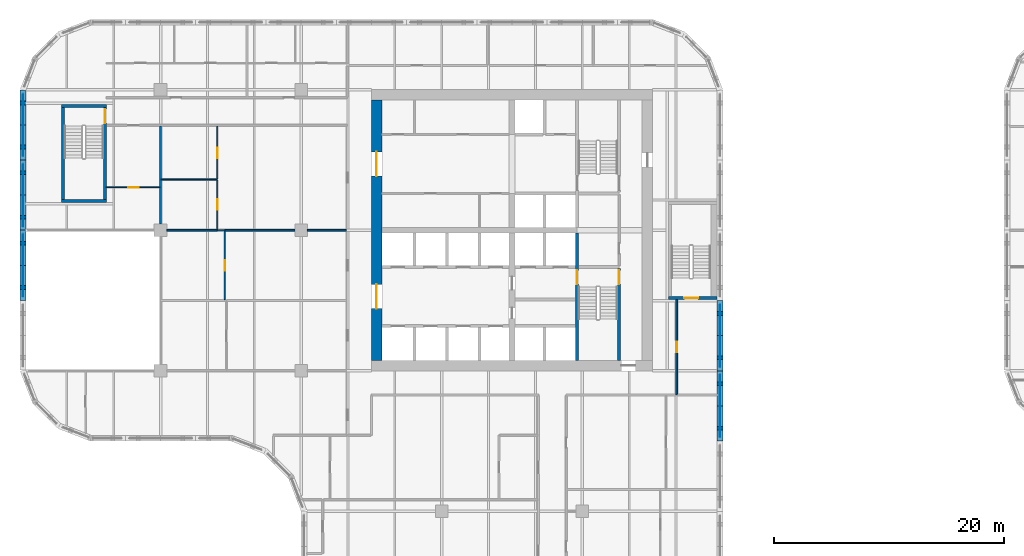
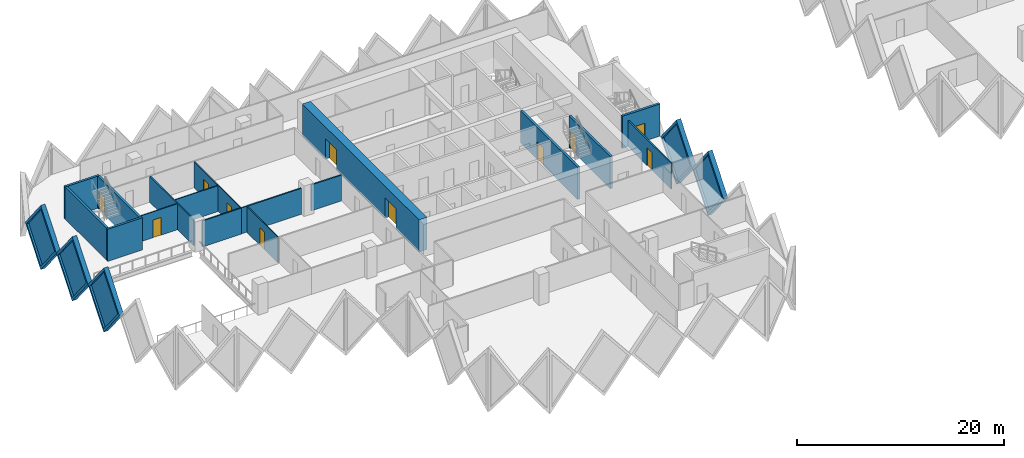
# One storey, part 7 of 18: 24 walls, 11 doors, 5 plates, 16 openings.
"""IFC4 building model written with IfcOpenShell, lengths in metres."""

from ifc_helpers import new_model, si_unit, direction, frame, frame_2d, origin, place, context, subcontext, project, spatial, polyline, rectangle, outline, extrude, faceted_brep, source, transform, mapped, material, layer, layer_set, type_object, element, fill, save


model = new_model("IFC4")

# Units and contexts
model_context = context("Model", 3, precision=1e-05, world=origin(), true_north=direction((0.0, 1.0)))
body_context = subcontext(model_context, "Body", "Model", "MODEL_VIEW")
ifc_project = project(units=[si_unit("LENGTHUNIT", "METRE"), si_unit("AREAUNIT", "SQUARE_METRE"), si_unit("VOLUMEUNIT", "CUBIC_METRE"), si_unit("PLANEANGLEUNIT", "RADIAN"), si_unit("MASSUNIT", "GRAM", prefix="KILO")], contexts=[model_context])

# Site, building, storey
site_placement = place(None, origin())
site = spatial("IfcSite", under=ifc_project, at=site_placement, CompositionType="ELEMENT")
building_placement = place(site_placement, origin())
building = spatial("IfcBuilding", under=site, at=building_placement, Name="Tessera Gate Towers", CompositionType="ELEMENT")
storey_placement = place(building_placement, frame((0.0, 0.0, 41.0)))
storey = spatial("IfcBuildingStorey", under=building, at=storey_placement, Name="L09", CompositionType="ELEMENT", Elevation=41.0)

# Wall, opening, door
ifc_material_1 = material(Name="Concrete C40/50", Category="concrete")
ifc_layer_1 = layer(ifc_material_1, 0.25)
ifc_layer_set_1 = layer_set([ifc_layer_1], Name="CORE ENCLOSURE WALL 250")
wall_type_1 = type_object("IfcWallType", Name="CORE ENCLOSURE WALL 250", PredefinedType="SOLIDWALL", material=ifc_layer_set_1)
wall_1_placement = place(storey_placement, frame((48.35009765625, 36.35009765625, 0.0), z_axis=(0.0, 0.0, 1.0), x_axis=(0.0, -1.0, 0.0)))
wall_1 = element("IfcWall", 1, at=wall_1_placement, inside=storey, type_object=wall_type_1, Name="L09 shaft and stair enclosure wall", PredefinedType="SOLIDWALL", context=body_context, shape_type="SweptSolid", body=[
    extrude(rectangle(XDim=11.050048828125, YDim=0.25, at=frame_2d((5.52490234375, 0.0))), origin(), (0.0, 0.0, 1.0), 3.800048828125),
])
shared_shape_1 = source(origin(), body_context, "Body", "SweptSolid", [
    extrude(rectangle(XDim=1.199951171875, YDim=2.10009765625, at=frame_2d((0.60009765625, 1.050048828125))), frame((0.0, 0.135009765625, 0.0), z_axis=(0.0, -1.0, 0.0), x_axis=(1.0, 0.0, 0.0)), (0.0, 0.0, 1.0), 0.27001953125),
])
opening_1_placement = place(wall_1_placement, frame((3.22509765625, 0.0, 0.0)))
opening_1 = element("IfcOpeningElement", 2, at=opening_1_placement, cuts=wall_1, Name="Opening SD-ST1-1", PredefinedType="OPENING", context=body_context, shape_type="MappedRepresentation", body=[
    mapped(shared_shape_1, transform((0.0, 0.0, 0.0), scale=1.0)),
])
ifc_material_2 = material(Name="Hollow steel fire door", Category="steel")
door_type_1 = type_object("IfcDoorType", Name="CORE DOOR SD 1200x2100", OperationType="NOTDEFINED", PredefinedType="DOOR", material=ifc_material_2)
shared_shape_2 = source(origin(), body_context, "Body", "SweptSolid", [
    extrude(rectangle(XDim=1.199951171875, YDim=2.10009765625, at=frame_2d((0.60009765625, 1.050048828125))), frame((0.0, 0.02490234375, 0.0), z_axis=(0.0, -1.0, 0.0), x_axis=(1.0, 0.0, 0.0)), (0.0, 0.0, 1.0), 0.050048828125),
])
door_1_placement = place(opening_1_placement, origin())
door_1 = element("IfcDoor", 3, at=door_1_placement, inside=storey, type_object=door_type_1, Name="Stair door", OperationType="SINGLE_SWING_LEFT", OverallHeight=2.10009765625, OverallWidth=1.199951171875, PredefinedType="DOOR", context=body_context, shape_type="MappedRepresentation", body=[
    mapped(shared_shape_2, transform((0.0, 0.0, 0.0), scale=1.0)),
])
fill(opening_1, door_1)

wall_2_placement = place(storey_placement, frame((52.0, 25.300048828125, 0.0), z_axis=(0.0, 0.0, 1.0), x_axis=(0.0, 1.0, 0.0)))
wall_2 = element("IfcWall", 4, at=wall_2_placement, inside=storey, type_object=wall_type_1, Name="L09 shaft and stair enclosure wall", PredefinedType="SOLIDWALL", context=body_context, shape_type="SweptSolid", body=[
    extrude(rectangle(XDim=7.974853515625, YDim=0.25, at=frame_2d((3.9873046875, 0.0))), origin(), (0.0, 0.0, 1.0), 3.800048828125),
])
opening_2_placement = place(wall_2_placement, frame((6.625, 0.0, 0.0)))
opening_2 = element("IfcOpeningElement", 5, at=opening_2_placement, cuts=wall_2, Name="Opening SD-ST1-2", PredefinedType="OPENING", context=body_context, shape_type="MappedRepresentation", body=[
    mapped(shared_shape_1, transform((0.0, 0.0, 0.0), scale=1.0)),
])
door_2_placement = place(opening_2_placement, origin())
door_2 = element("IfcDoor", 6, at=door_2_placement, inside=storey, type_object=door_type_1, Name="Stair door", OperationType="SINGLE_SWING_RIGHT", OverallHeight=2.10009765625, OverallWidth=1.199951171875, PredefinedType="DOOR", context=body_context, shape_type="MappedRepresentation", body=[
    mapped(shared_shape_2, transform((0.0, 0.0, 0.0), scale=1.0)),
])
fill(opening_2, door_2)

# Walls
wall_3_placement = place(storey_placement, frame((7.5, 39.125, 0.0), z_axis=(0.0, 0.0, 1.0), x_axis=(-1.0, 0.0, 0.0)))
element("IfcWall", 7, at=wall_3_placement, inside=storey, type_object=wall_type_1, Name="L09 ST3 enclosure wall", PredefinedType="SOLIDWALL", context=body_context, shape_type="SweptSolid", body=[
    extrude(rectangle(XDim=3.89990234375, YDim=0.25, at=frame_2d((1.949951171875, 0.0))), origin(), (0.0, 0.0, 1.0), 3.800048828125),
])
wall_4_placement = place(storey_placement, frame((3.72509765625, 39.25, 0.0), z_axis=(0.0, 0.0, 1.0), x_axis=(0.0, 1.0, 0.0)))
element("IfcWall", 8, at=wall_4_placement, inside=storey, type_object=wall_type_1, Name="L09 ST3 enclosure wall", PredefinedType="SOLIDWALL", context=body_context, shape_type="SweptSolid", body=[
    extrude(rectangle(XDim=8.0, YDim=0.25, at=frame_2d((4.0, 0.0))), origin(), (0.0, 0.0, 1.0), 3.800048828125),
])
wall_5_placement = place(storey_placement, frame((3.60009765625, 47.375, 0.0), z_axis=(0.0, 0.0, 1.0), x_axis=(1.0, 0.0, 0.0)))
element("IfcWall", 9, at=wall_5_placement, inside=storey, type_object=wall_type_1, Name="L09 ST3 enclosure wall", PredefinedType="SOLIDWALL", context=body_context, shape_type="SweptSolid", body=[
    extrude(rectangle(XDim=3.89990234375, YDim=0.25, at=frame_2d((1.949951171875, 0.0))), origin(), (0.0, 0.0, 1.0), 3.800048828125),
])

# Wall, opening, door
wall_6_placement = place(storey_placement, frame((7.375, 47.25, 0.0), z_axis=(0.0, 0.0, 1.0), x_axis=(0.0, -1.0, 0.0)))
wall_6 = element("IfcWall", 10, at=wall_6_placement, inside=storey, type_object=wall_type_1, Name="L09 ST3 enclosure wall", PredefinedType="SOLIDWALL", context=body_context, shape_type="SweptSolid", body=[
    extrude(rectangle(XDim=8.0, YDim=0.25, at=frame_2d((4.0, 0.0))), origin(), (0.0, 0.0, 1.0), 3.800048828125),
])
opening_3_placement = place(wall_6_placement, frame((0.14990234375, 0.0, 0.0)))
opening_3 = element("IfcOpeningElement", 11, at=opening_3_placement, cuts=wall_6, Name="Opening SD-ST3-1", PredefinedType="OPENING", context=body_context, shape_type="MappedRepresentation", body=[
    mapped(shared_shape_1, transform((0.0, 0.0, 0.0), scale=1.0)),
])
door_3_placement = place(opening_3_placement, origin())
door_3 = element("IfcDoor", 12, at=door_3_placement, inside=storey, type_object=door_type_1, Name="Stair door", OperationType="SINGLE_SWING_LEFT", OverallHeight=2.10009765625, OverallWidth=1.199951171875, PredefinedType="DOOR", context=body_context, shape_type="MappedRepresentation", body=[
    mapped(shared_shape_2, transform((0.0, 0.0, 0.0), scale=1.0)),
])
fill(opening_3, door_3)

wall_7_placement = place(storey_placement, frame((60.5, 30.72509765625, 0.0), z_axis=(0.0, 0.0, 1.0), x_axis=(-1.0, 0.0, 0.0)))
wall_7 = element("IfcWall", 13, at=wall_7_placement, inside=storey, type_object=wall_type_1, Name="L09 ST5 enclosure wall", PredefinedType="SOLIDWALL", context=body_context, shape_type="SweptSolid", body=[
    extrude(rectangle(XDim=4.199951171875, YDim=0.25, at=frame_2d((2.10009765625, 0.0))), origin(), (0.0, 0.0, 1.0), 3.800048828125),
])
opening_4_placement = place(wall_7_placement, frame((1.64990234375, 0.0, 0.0)))
opening_4 = element("IfcOpeningElement", 14, at=opening_4_placement, cuts=wall_7, Name="Opening SD-ST5-1", PredefinedType="OPENING", context=body_context, shape_type="MappedRepresentation", body=[
    mapped(shared_shape_1, transform((0.0, 0.0, 0.0), scale=1.0)),
])
door_4_placement = place(opening_4_placement, origin())
door_4 = element("IfcDoor", 15, at=door_4_placement, inside=storey, type_object=door_type_1, Name="Stair door", OperationType="SINGLE_SWING_RIGHT", OverallHeight=2.10009765625, OverallWidth=1.199951171875, PredefinedType="DOOR", context=body_context, shape_type="MappedRepresentation", body=[
    mapped(shared_shape_2, transform((0.0, 0.0, 0.0), scale=1.0)),
])
fill(opening_4, door_4)

# Wall, openings, doors
ifc_material_3 = material(Name="Concrete C70/85", Category="concrete")
ifc_layer_2 = layer(ifc_material_3, 0.89990234375)
ifc_layer_set_2 = layer_set([ifc_layer_2], Name="CORE SHEAR WALL 900 C70/85")
wall_type_2 = type_object("IfcWallType", Name="CORE SHEAR WALL 900 C70/85", PredefinedType="SHEAR", material=ifc_layer_set_2)
wall_8_placement = place(storey_placement, frame((30.949951171875, 25.300048828125, 0.0), z_axis=(0.0, 0.0, 1.0), x_axis=(0.0, 1.0, 0.0)))
wall_8 = element("IfcWall", 16, at=wall_8_placement, inside=storey, type_object=wall_type_2, Name="Core wall W L09", PredefinedType="SHEAR", context=body_context, shape_type="SweptSolid", body=[
    extrude(rectangle(XDim=22.599853515625, YDim=0.89990234375, at=frame_2d((11.2998046875, 0.0))), origin(), (0.0, 0.0, 1.0), 3.800048828125),
])
shared_shape_3 = source(origin(), body_context, "Body", "SweptSolid", [
    extrude(rectangle(XDim=2.10009765625, YDim=2.39990234375, at=frame_2d((1.050048828125, 1.199951171875))), frame((0.0, 0.4599609375, 0.0), z_axis=(0.0, -1.0, 0.0), x_axis=(1.0, 0.0, 0.0)), (0.0, 0.0, 1.0), 0.919921875),
])
opening_5_placement = place(wall_8_placement, frame((4.5, 0.0, 0.0)))
opening_5 = element("IfcOpeningElement", 17, at=opening_5_placement, cuts=wall_8, Name="Opening DD-T1-08-02", PredefinedType="OPENING", context=body_context, shape_type="MappedRepresentation", body=[
    mapped(shared_shape_3, transform((0.0, 0.0, 0.0), scale=1.0)),
])
opening_6_placement = place(wall_8_placement, frame((16.0, 0.0, 0.0)))
opening_6 = element("IfcOpeningElement", 18, at=opening_6_placement, cuts=wall_8, Name="Opening DD-T1-08-03", PredefinedType="OPENING", context=body_context, shape_type="MappedRepresentation", body=[
    mapped(shared_shape_3, transform((0.0, 0.0, 0.0), scale=1.0)),
])
ifc_material_4 = material(Name="Hollow steel fire door", Category="steel")
door_type_2 = type_object("IfcDoorType", Name="CORE DOOR DD 2100x2400", OperationType="NOTDEFINED", PredefinedType="DOOR", material=ifc_material_4)
shared_shape_4 = source(origin(), body_context, "Body", "SweptSolid", [
    extrude(rectangle(XDim=2.10009765625, YDim=2.39990234375, at=frame_2d((1.050048828125, 1.199951171875))), frame((0.0, 0.02490234375, 0.0), z_axis=(0.0, -1.0, 0.0), x_axis=(1.0, 0.0, 0.0)), (0.0, 0.0, 1.0), 0.050048828125),
])
door_5_placement = place(opening_5_placement, origin())
door_5 = element("IfcDoor", 19, at=door_5_placement, inside=storey, type_object=door_type_2, Name="Core entrance door", OperationType="DOUBLE_DOOR_SINGLE_SWING", OverallHeight=2.39990234375, OverallWidth=2.10009765625, PredefinedType="DOOR", context=body_context, shape_type="MappedRepresentation", body=[
    mapped(shared_shape_4, transform((0.0, 0.0, 0.0), scale=1.0)),
])
fill(opening_5, door_5)
door_6_placement = place(opening_6_placement, origin())
door_6 = element("IfcDoor", 20, at=door_6_placement, inside=storey, type_object=door_type_2, Name="Core entrance door", OperationType="DOUBLE_DOOR_SINGLE_SWING", OverallHeight=2.39990234375, OverallWidth=2.10009765625, PredefinedType="DOOR", context=body_context, shape_type="MappedRepresentation", body=[
    mapped(shared_shape_4, transform((0.0, 0.0, 0.0), scale=1.0)),
])
fill(opening_6, door_6)

# Wall, opening, door
ifc_material_5 = material(Name="Gypsum board on steel studs, mineral wool", Category="steel")
ifc_layer_3 = layer(ifc_material_5, 0.14990234375)
ifc_layer_set_3 = layer_set([ifc_layer_3], Name="CORRIDOR WALL 150")
wall_type_3 = type_object("IfcWallType", Name="CORRIDOR WALL 150", PredefinedType="PARTITIONING", material=ifc_layer_set_3)
wall_9_placement = place(storey_placement, frame((57.0, 30.60009765625, 0.0), z_axis=(0.0, 0.0, 1.0), x_axis=(0.0, -1.0, 0.0)))
wall_9 = element("IfcWall", 21, at=wall_9_placement, inside=storey, type_object=wall_type_3, Name="T1-L09-PW-024", PredefinedType="PARTITIONING", context=body_context, shape_type="SweptSolid", body=[
    extrude(rectangle(XDim=8.300048828125, YDim=0.14990234375, at=frame_2d((4.14990234375, 0.0))), origin(), (0.0, 0.0, 1.0), 3.06689453125),
])
shared_shape_5 = source(origin(), body_context, "Body", "SweptSolid", [
    extrude(rectangle(XDim=0.89990234375, YDim=2.10009765625, at=frame_2d((0.449951171875, 1.050048828125))), frame((0.0, 0.0849609375, 0.0), z_axis=(0.0, -1.0, 0.0), x_axis=(1.0, 0.0, 0.0)), (0.0, 0.0, 1.0), 0.169921875),
])
opening_7_placement = place(wall_9_placement, frame((3.699951171875, 0.0, 0.0)))
opening_7 = element("IfcOpeningElement", 22, at=opening_7_placement, cuts=wall_9, Name="Opening D890FD60-A03-06", PredefinedType="OPENING", context=body_context, shape_type="MappedRepresentation", body=[
    mapped(shared_shape_5, transform((0.0, 0.0, 0.0), scale=1.0)),
])
ifc_material_6 = material(Name="Timber door leaf in steel frame", Category="steel")
door_type_3 = type_object("IfcDoorType", Name="CORRIDOR DOOR 900 FD60", OperationType="NOTDEFINED", PredefinedType="DOOR", material=ifc_material_6)
shared_shape_6 = source(origin(), body_context, "Body", "SweptSolid", [
    extrude(rectangle(XDim=0.89990234375, YDim=2.10009765625, at=frame_2d((0.449951171875, 1.050048828125))), frame((0.0, 0.02490234375, 0.0), z_axis=(0.0, -1.0, 0.0), x_axis=(1.0, 0.0, 0.0)), (0.0, 0.0, 1.0), 0.050048828125),
])
door_7_placement = place(opening_7_placement, origin())
door_7 = element("IfcDoor", 23, at=door_7_placement, inside=storey, type_object=door_type_3, Name="T1-L09-PD-021", OperationType="SINGLE_SWING_RIGHT", OverallHeight=2.10009765625, OverallWidth=0.89990234375, PredefinedType="DOOR", context=body_context, shape_type="MappedRepresentation", body=[
    mapped(shared_shape_6, transform((0.0, 0.0, 0.0), scale=1.0)),
])
fill(opening_7, door_7)

ifc_material_7 = material(Name="Glass", Category="glass")
ifc_layer_4 = layer(ifc_material_7, 0.10009765625)
ifc_layer_set_4 = layer_set([ifc_layer_4], Name="GLAZED PARTITION 100")
wall_type_4 = type_object("IfcWallType", Name="GLAZED PARTITION 100", PredefinedType="PARTITIONING", material=ifc_layer_set_4)
wall_10_placement = place(storey_placement, frame((17.77490234375, 30.575927734375, 0.0), z_axis=(0.0, 0.0, 1.0), x_axis=(0.0, 1.0, 0.0)))
wall_10 = element("IfcWall", 24, at=wall_10_placement, inside=storey, type_object=wall_type_4, Name="T1-L09-PW-032", PredefinedType="PARTITIONING", context=body_context, shape_type="SweptSolid", body=[
    extrude(rectangle(XDim=5.947998046875, YDim=0.10009765625, at=frame_2d((2.97412109375, 0.0))), origin(), (0.0, 0.0, 1.0), 3.06689453125),
])
shared_shape_7 = source(origin(), body_context, "Body", "SweptSolid", [
    extrude(rectangle(XDim=0.89990234375, YDim=2.10009765625, at=frame_2d((0.449951171875, 1.050048828125))), frame((0.0, 0.06005859375, 0.0), z_axis=(0.0, -1.0, 0.0), x_axis=(1.0, 0.0, 0.0)), (0.0, 0.0, 1.0), 0.1201171875),
])
opening_8_placement = place(wall_10_placement, frame((2.5, 0.0, 0.0)))
opening_8 = element("IfcOpeningElement", 25, at=opening_8_placement, cuts=wall_10, Name="Opening D690-A03-03", PredefinedType="OPENING", context=body_context, shape_type="MappedRepresentation", body=[
    mapped(shared_shape_7, transform((0.0, 0.0, 0.0), scale=1.0)),
])
ifc_material_8 = material(Name="Glass in aluminium frame", Category="aluminium")
door_type_4 = type_object("IfcDoorType", Name="GLAZED DOOR 900 NOT RATED", OperationType="NOTDEFINED", PredefinedType="DOOR", material=ifc_material_8)
door_8_placement = place(opening_8_placement, origin())
door_8 = element("IfcDoor", 26, at=door_8_placement, inside=storey, type_object=door_type_4, Name="T1-L09-PD-014", OperationType="SINGLE_SWING_LEFT", OverallHeight=2.10009765625, OverallWidth=0.89990234375, PredefinedType="DOOR", context=body_context, shape_type="MappedRepresentation", body=[
    mapped(shared_shape_6, transform((0.0, 0.0, 0.0), scale=1.0)),
])
fill(opening_8, door_8)

# Wall
wall_11_placement = place(storey_placement, frame((17.1259765625, 36.60009765625, 0.0), z_axis=(0.0, 0.0, 1.0), x_axis=(1.0, 0.0, 0.0)))
element("IfcWall", 27, at=wall_11_placement, inside=storey, type_object=wall_type_4, Name="T1-L09-PW-034", PredefinedType="PARTITIONING", context=body_context, shape_type="SweptSolid", body=[
    extrude(rectangle(XDim=0.64794921875, YDim=0.10009765625, at=frame_2d((0.323974609375, 0.0))), origin(), (0.0, 0.0, 1.0), 3.06689453125),
])

# Wall, opening, door
ifc_material_9 = material(Name="Gypsum board on steel studs", Category="steel")
ifc_layer_5 = layer(ifc_material_9, 0.10009765625)
ifc_layer_set_5 = layer_set([ifc_layer_5], Name="PARTITION 100")
wall_type_5 = type_object("IfcWallType", Name="PARTITION 100", PredefinedType="PARTITIONING", material=ifc_layer_set_5)
wall_12_placement = place(storey_placement, frame((17.125, 36.676025390625, 0.0), z_axis=(0.0, 0.0, 1.0), x_axis=(0.0, 1.0, 0.0)))
wall_12 = element("IfcWall", 28, at=wall_12_placement, inside=storey, type_object=wall_type_5, Name="T1-L09-PW-037", PredefinedType="PARTITIONING", context=body_context, shape_type="SweptSolid", body=[
    extrude(rectangle(XDim=4.26904296875, YDim=0.10009765625, at=frame_2d((2.134521484375, 0.0))), origin(), (0.0, 0.0, 1.0), 3.06689453125),
])
opening_9_placement = place(wall_12_placement, frame((1.699951171875, 0.0, 0.0)))
opening_9 = element("IfcOpeningElement", 29, at=opening_9_placement, cuts=wall_12, Name="Opening D190-A03-02", PredefinedType="OPENING", context=body_context, shape_type="MappedRepresentation", body=[
    mapped(shared_shape_7, transform((0.0, 0.0, 0.0), scale=1.0)),
])
ifc_material_10 = material(Name="Timber door leaf in steel frame", Category="steel")
door_type_5 = type_object("IfcDoorType", Name="INTERNAL DOOR 900 NOT RATED", OperationType="NOTDEFINED", PredefinedType="DOOR", material=ifc_material_10)
door_9_placement = place(opening_9_placement, origin())
door_9 = element("IfcDoor", 30, at=door_9_placement, inside=storey, type_object=door_type_5, Name="T1-L09-PD-003", OperationType="SINGLE_SWING_LEFT", OverallHeight=2.10009765625, OverallWidth=0.89990234375, PredefinedType="DOOR", context=body_context, shape_type="MappedRepresentation", body=[
    mapped(shared_shape_6, transform((0.0, 0.0, 0.0), scale=1.0)),
])
fill(opening_9, door_9)

wall_13_placement = place(storey_placement, frame((12.1240234375, 40.31494140625, 0.0), z_axis=(0.0, 0.0, 1.0), x_axis=(-1.0, 0.0, 0.0)))
wall_13 = element("IfcWall", 31, at=wall_13_placement, inside=storey, type_object=wall_type_5, Name="T1-L09-PW-039", PredefinedType="PARTITIONING", context=body_context, shape_type="SweptSolid", body=[
    extrude(rectangle(XDim=4.6240234375, YDim=0.10009765625, at=frame_2d((2.31201171875, 0.0))), origin(), (0.0, 0.0, 1.0), 3.06689453125),
])
opening_10_placement = place(wall_13_placement, frame((1.823974609375, 0.0, 0.0)))
opening_10 = element("IfcOpeningElement", 32, at=opening_10_placement, cuts=wall_13, Name="Opening D190-A03-05", PredefinedType="OPENING", context=body_context, shape_type="MappedRepresentation", body=[
    mapped(shared_shape_7, transform((0.0, 0.0, 0.0), scale=1.0)),
])
door_10_placement = place(opening_10_placement, origin())
door_10 = element("IfcDoor", 33, at=door_10_placement, inside=storey, type_object=door_type_5, Name="T1-L09-PD-006", OperationType="SINGLE_SWING_RIGHT", OverallHeight=2.10009765625, OverallWidth=0.89990234375, PredefinedType="DOOR", context=body_context, shape_type="MappedRepresentation", body=[
    mapped(shared_shape_6, transform((0.0, 0.0, 0.0), scale=1.0)),
])
fill(opening_10, door_10)

# Wall
wall_14_placement = place(storey_placement, frame((12.27587890625, 40.99609375, 0.0), z_axis=(0.0, 0.0, 1.0), x_axis=(1.0, 0.0, 0.0)))
element("IfcWall", 34, at=wall_14_placement, inside=storey, type_object=wall_type_5, Name="T1-L09-PW-040", PredefinedType="PARTITIONING", context=body_context, shape_type="SweptSolid", body=[
    extrude(rectangle(XDim=4.84912109375, YDim=0.10009765625, at=frame_2d((2.424560546875, 0.0))), origin(), (0.0, 0.0, 1.0), 3.06689453125),
])

# Wall, opening, door
wall_15_placement = place(storey_placement, frame((17.125, 41.047119140625, 0.0), z_axis=(0.0, 0.0, 1.0), x_axis=(0.0, 1.0, 0.0)))
wall_15 = element("IfcWall", 35, at=wall_15_placement, inside=storey, type_object=wall_type_5, Name="T1-L09-PW-041", PredefinedType="PARTITIONING", context=body_context, shape_type="SweptSolid", body=[
    extrude(rectangle(XDim=4.576904296875, YDim=0.10009765625, at=frame_2d((2.28857421875, 0.0))), origin(), (0.0, 0.0, 1.0), 3.06689453125),
])
opening_11_placement = place(wall_15_placement, frame((1.800048828125, 0.0, 0.0)))
opening_11 = element("IfcOpeningElement", 36, at=opening_11_placement, cuts=wall_15, Name="Opening D190-A03-04", PredefinedType="OPENING", context=body_context, shape_type="MappedRepresentation", body=[
    mapped(shared_shape_7, transform((0.0, 0.0, 0.0), scale=1.0)),
])
door_11_placement = place(opening_11_placement, origin())
door_11 = element("IfcDoor", 37, at=door_11_placement, inside=storey, type_object=door_type_5, Name="T1-L09-PD-005", OperationType="SINGLE_SWING_LEFT", OverallHeight=2.10009765625, OverallWidth=0.89990234375, PredefinedType="DOOR", context=body_context, shape_type="MappedRepresentation", body=[
    mapped(shared_shape_6, transform((0.0, 0.0, 0.0), scale=1.0)),
])
fill(opening_11, door_11)

# Walls
ifc_material_11 = material(Name="Gypsum board on steel studs, mineral wool", Category="steel")
ifc_layer_6 = layer(ifc_material_11, 0.14990234375)
ifc_layer_set_6 = layer_set([ifc_layer_6], Name="TENANCY WALL 150")
wall_type_6 = type_object("IfcWallType", Name="TENANCY WALL 150", PredefinedType="PARTITIONING", material=ifc_layer_set_6)
wall_16_placement = place(storey_placement, frame((12.7509765625, 36.60009765625, 0.0), z_axis=(0.0, 0.0, 1.0), x_axis=(1.0, 0.0, 0.0)))
element("IfcWall", 38, at=wall_16_placement, inside=storey, type_object=wall_type_6, Name="T1-L09-PW-033", PredefinedType="PARTITIONING", context=body_context, shape_type="SweptSolid", body=[
    extrude(rectangle(XDim=4.3740234375, YDim=0.14990234375, at=frame_2d((2.18701171875, 0.0))), origin(), (0.0, 0.0, 1.0), 3.06689453125),
])
wall_17_placement = place(storey_placement, frame((17.77490234375, 36.60009765625, 0.0), z_axis=(0.0, 0.0, 1.0), x_axis=(1.0, 0.0, 0.0)))
element("IfcWall", 39, at=wall_17_placement, inside=storey, type_object=wall_type_6, Name="T1-L09-PW-035", PredefinedType="PARTITIONING", context=body_context, shape_type="SweptSolid", body=[
    extrude(rectangle(XDim=6.07421875, YDim=0.14990234375, at=frame_2d((3.037109375, 0.0))), origin(), (0.0, 0.0, 1.0), 3.06689453125),
])
wall_18_placement = place(storey_placement, frame((24.950927734375, 36.60009765625, 0.0), z_axis=(0.0, 0.0, 1.0), x_axis=(1.0, 0.0, 0.0)))
element("IfcWall", 40, at=wall_18_placement, inside=storey, type_object=wall_type_6, Name="T1-L09-PW-036", PredefinedType="PARTITIONING", context=body_context, shape_type="SweptSolid", body=[
    extrude(rectangle(XDim=3.373046875, YDim=0.14990234375, at=frame_2d((1.6865234375, 0.0))), origin(), (0.0, 0.0, 1.0), 3.06689453125),
])
wall_19_placement = place(storey_placement, frame((12.199951171875, 37.15087890625, 0.0), z_axis=(0.0, 0.0, 1.0), x_axis=(0.0, 1.0, 0.0)))
element("IfcWall", 41, at=wall_19_placement, inside=storey, type_object=wall_type_6, Name="T1-L09-PW-038", PredefinedType="PARTITIONING", context=body_context, shape_type="SweptSolid", body=[
    extrude(rectangle(XDim=8.47314453125, YDim=0.14990234375, at=frame_2d((4.236572265625, 0.0))), origin(), (0.0, 0.0, 1.0), 3.06689453125),
])

# Wall, opening, plate
ifc_material_12 = material(Name="Precast concrete C60/75 white", Category="concrete")
ifc_layer_7 = layer(ifc_material_12, 0.5)
ifc_layer_set_7 = layer_set([ifc_layer_7], Name="TS1 tessera")
wall_type_7 = type_object("IfcWallType", Name="TS1 tessera", PredefinedType="SOLIDWALL", material=ifc_layer_set_7)
shared_shape_8 = source(origin(), body_context, "Body", "Brep", [
    faceted_brep([(3.00341796875, -0.25, 0.0), (6.053466796875, -0.25, 3.800048828125), (3.00341796875, -0.25, 7.60009765625), (0.0, -0.25, 3.800048828125), (0.046630859375, 0.25, 3.85888671875), (3.00341796875, 0.25, 7.60009765625), (6.053466796875, 0.25, 3.800048828125), (3.00341796875, 0.25, 0.0), (0.046630859375, 0.25, 3.7412109375), (0.0, 0.0, 3.800048828125)], [[[0, 1, 2, 3]], [[4, 5, 6, 7, 8]], [[7, 6, 1, 0]], [[6, 5, 2, 1]], [[5, 4, 9, 3, 2]], [[8, 7, 0, 3, 9]], [[8, 9, 4]]]),
])
wall_20_placement = place(storey_placement, frame((0.25, 48.75341796875, -3.800048828125), z_axis=(0.0, 0.0, 1.0), x_axis=(0.0, -1.0, 0.0)))
wall_20 = element("IfcWall", 42, at=wall_20_placement, inside=storey, type_object=wall_type_7, Name="Precast tessera T1 TS1-0109", PredefinedType="SOLIDWALL", context=body_context, shape_type="MappedRepresentation", body=[
    mapped(shared_shape_8, transform((0.0, 0.0, 0.0), scale=1.0)),
])
shared_shape_9 = source(origin(), body_context, "Body", "SweptSolid", [
    extrude(outline(polyline([(3.0048828125, 0.4013671875), (5.73291015625, 3.800048828125), (3.0048828125, 7.19873046875), (0.318603515625, 3.800048828125), (3.0048828125, 0.4013671875)])), frame((0.0, 0.260009765625, 0.0), z_axis=(0.0, -1.0, 0.0), x_axis=(1.0, 0.0, 0.0)), (0.0, 0.0, 1.0), 0.52001953125),
])
opening_12_placement = place(wall_20_placement, origin())
opening_12 = element("IfcOpeningElement", 43, at=opening_12_placement, cuts=wall_20, Name="Opening T1-PL2-0219", PredefinedType="OPENING", context=body_context, shape_type="MappedRepresentation", body=[
    mapped(shared_shape_9, transform((0.0, 0.0, 0.0), scale=1.0)),
])
ifc_material_13 = material(Name="Low-e laminated glass", Category="glass")
ifc_layer_8 = layer(ifc_material_13, 0.06005859375)
ifc_layer_set_8 = layer_set([ifc_layer_8], Name="PL2 rhombic pane")
plate_type = type_object("IfcPlateType", Name="PL2 rhombic pane", PredefinedType="SHEET", material=ifc_layer_set_8)
shared_shape_10 = source(origin(), body_context, "Body", "SweptSolid", [
    extrude(outline(polyline([(3.0048828125, 0.4013671875), (5.73291015625, 3.800048828125), (3.0048828125, 7.19873046875), (0.318603515625, 3.800048828125), (3.0048828125, 0.4013671875)])), frame((0.0, 0.030029296875, 0.0), z_axis=(0.0, -1.0, 0.0), x_axis=(1.0, 0.0, 0.0)), (0.0, 0.0, 1.0), 0.06005859375),
])
plate_1_placement = place(opening_12_placement, origin())
plate_1 = element("IfcPlate", 44, at=plate_1_placement, inside=storey, type_object=plate_type, Name="Glass pane T1 PL2-0219", PredefinedType="SHEET", context=body_context, shape_type="MappedRepresentation", body=[
    mapped(shared_shape_10, transform((0.0, 0.0, 0.0), scale=1.0)),
])
fill(opening_12, plate_1)

shared_shape_11 = source(origin(), body_context, "Body", "Brep", [
    faceted_brep([(3.050048828125, -0.25, 0.0), (6.099853515625, -0.25, 3.7998046875), (6.099853515625, -0.25, 3.80029296875), (3.050048828125, -0.25, 7.60009765625), (0.0, -0.25, 3.800048828125), (0.0, 0.25, 3.800048828125), (3.050048828125, 0.25, 7.60009765625), (6.099853515625, 0.25, 3.80029296875), (6.099853515625, 0.25, 3.7998046875), (3.050048828125, 0.25, 0.0)], [[[0, 1, 2, 3, 4]], [[5, 6, 7, 8, 9]], [[9, 8, 1, 0]], [[7, 6, 3, 2]], [[6, 5, 4, 3]], [[5, 9, 0, 4]], [[1, 8, 7, 2]]]),
])
wall_21_placement = place(storey_placement, frame((60.75, 18.300048828125, -3.800048828125), z_axis=(0.0, 0.0, 1.0), x_axis=(0.0, 1.0, 0.0)))
wall_21 = element("IfcWall", 45, at=wall_21_placement, inside=storey, type_object=wall_type_7, Name="Precast tessera T1 TS1-0097", PredefinedType="SOLIDWALL", context=body_context, shape_type="MappedRepresentation", body=[
    mapped(shared_shape_11, transform((0.0, 0.0, 0.0), scale=1.0)),
])
shared_shape_12 = source(origin(), body_context, "Body", "SweptSolid", [
    extrude(outline(polyline([(3.050048828125, 0.3994140625), (5.779541015625, 3.800048828125), (3.050048828125, 7.20068359375), (0.320556640625, 3.800048828125), (3.050048828125, 0.3994140625)])), frame((0.0, 0.260009765625, 0.0), z_axis=(0.0, -1.0, 0.0), x_axis=(1.0, 0.0, 0.0)), (0.0, 0.0, 1.0), 0.52001953125),
])
opening_13_placement = place(wall_21_placement, origin())
opening_13 = element("IfcOpeningElement", 46, at=opening_13_placement, cuts=wall_21, Name="Opening T1-PL2-0199", PredefinedType="OPENING", context=body_context, shape_type="MappedRepresentation", body=[
    mapped(shared_shape_12, transform((0.0, 0.0, 0.0), scale=1.0)),
])
shared_shape_13 = source(origin(), body_context, "Body", "SweptSolid", [
    extrude(outline(polyline([(3.050048828125, 0.3994140625), (5.779541015625, 3.800048828125), (3.050048828125, 7.20068359375), (0.320556640625, 3.800048828125), (3.050048828125, 0.3994140625)])), frame((0.0, 0.030029296875, 0.0), z_axis=(0.0, -1.0, 0.0), x_axis=(1.0, 0.0, 0.0)), (0.0, 0.0, 1.0), 0.06005859375),
])
plate_2_placement = place(opening_13_placement, origin())
plate_2 = element("IfcPlate", 47, at=plate_2_placement, inside=storey, type_object=plate_type, Name="Glass pane T1 PL2-0199", PredefinedType="SHEET", context=body_context, shape_type="MappedRepresentation", body=[
    mapped(shared_shape_13, transform((0.0, 0.0, 0.0), scale=1.0)),
])
fill(opening_13, plate_2)

wall_22_placement = place(storey_placement, frame((0.25, 42.699951171875, -3.800048828125), z_axis=(0.0, 0.0, 1.0), x_axis=(0.0, -1.0, 0.0)))
wall_22 = element("IfcWall", 48, at=wall_22_placement, inside=storey, type_object=wall_type_7, Name="Precast tessera T1 TS1-0110", PredefinedType="SOLIDWALL", context=body_context, shape_type="MappedRepresentation", body=[
    mapped(shared_shape_11, transform((0.0, 0.0, 0.0), scale=1.0)),
])
opening_14_placement = place(wall_22_placement, origin())
opening_14 = element("IfcOpeningElement", 49, at=opening_14_placement, cuts=wall_22, Name="Opening T1-PL2-0220", PredefinedType="OPENING", context=body_context, shape_type="MappedRepresentation", body=[
    mapped(shared_shape_12, transform((0.0, 0.0, 0.0), scale=1.0)),
])
plate_3_placement = place(opening_14_placement, origin())
plate_3 = element("IfcPlate", 50, at=plate_3_placement, inside=storey, type_object=plate_type, Name="Glass pane T1 PL2-0220", PredefinedType="SHEET", context=body_context, shape_type="MappedRepresentation", body=[
    mapped(shared_shape_13, transform((0.0, 0.0, 0.0), scale=1.0)),
])
fill(opening_14, plate_3)

shared_shape_14 = source(origin(), body_context, "Body", "SweptSolid", [
    extrude(outline(polyline([(3.050048828125, 0.0), (6.10009765625, 3.800048828125), (3.050048828125, 7.60009765625), (0.0, 3.800048828125), (3.050048828125, 0.0)])), frame((0.0, 0.25, 0.0), z_axis=(0.0, -1.0, 0.0), x_axis=(1.0, 0.0, 0.0)), (0.0, 0.0, 1.0), 0.5),
])
wall_23_placement = place(storey_placement, frame((60.75, 24.39990234375, -3.800048828125), z_axis=(0.0, 0.0, 1.0), x_axis=(0.0, 1.0, 0.0)))
wall_23 = element("IfcWall", 51, at=wall_23_placement, inside=storey, type_object=wall_type_7, Name="Precast tessera T1 TS1-0098", PredefinedType="SOLIDWALL", context=body_context, shape_type="MappedRepresentation", body=[
    mapped(shared_shape_14, transform((0.0, 0.0, 0.0), scale=1.0)),
])
opening_15_placement = place(wall_23_placement, origin())
opening_15 = element("IfcOpeningElement", 52, at=opening_15_placement, cuts=wall_23, Name="Opening T1-PL2-0200", PredefinedType="OPENING", context=body_context, shape_type="MappedRepresentation", body=[
    mapped(shared_shape_12, transform((0.0, 0.0, 0.0), scale=1.0)),
])
plate_4_placement = place(opening_15_placement, origin())
plate_4 = element("IfcPlate", 53, at=plate_4_placement, inside=storey, type_object=plate_type, Name="Glass pane T1 PL2-0200", PredefinedType="SHEET", context=body_context, shape_type="MappedRepresentation", body=[
    mapped(shared_shape_13, transform((0.0, 0.0, 0.0), scale=1.0)),
])
fill(opening_15, plate_4)

wall_24_placement = place(storey_placement, frame((0.25, 36.60009765625, -3.800048828125), z_axis=(0.0, 0.0, 1.0), x_axis=(0.0, -1.0, 0.0)))
wall_24 = element("IfcWall", 54, at=wall_24_placement, inside=storey, type_object=wall_type_7, Name="Precast tessera T1 TS1-0111", PredefinedType="SOLIDWALL", context=body_context, shape_type="MappedRepresentation", body=[
    mapped(shared_shape_14, transform((0.0, 0.0, 0.0), scale=1.0)),
])
opening_16_placement = place(wall_24_placement, origin())
opening_16 = element("IfcOpeningElement", 55, at=opening_16_placement, cuts=wall_24, Name="Opening T1-PL2-0221", PredefinedType="OPENING", context=body_context, shape_type="MappedRepresentation", body=[
    mapped(shared_shape_12, transform((0.0, 0.0, 0.0), scale=1.0)),
])
plate_5_placement = place(opening_16_placement, origin())
plate_5 = element("IfcPlate", 56, at=plate_5_placement, inside=storey, type_object=plate_type, Name="Glass pane T1 PL2-0221", PredefinedType="SHEET", context=body_context, shape_type="MappedRepresentation", body=[
    mapped(shared_shape_13, transform((0.0, 0.0, 0.0), scale=1.0)),
])
fill(opening_16, plate_5)

save(model, "model.ifc")
